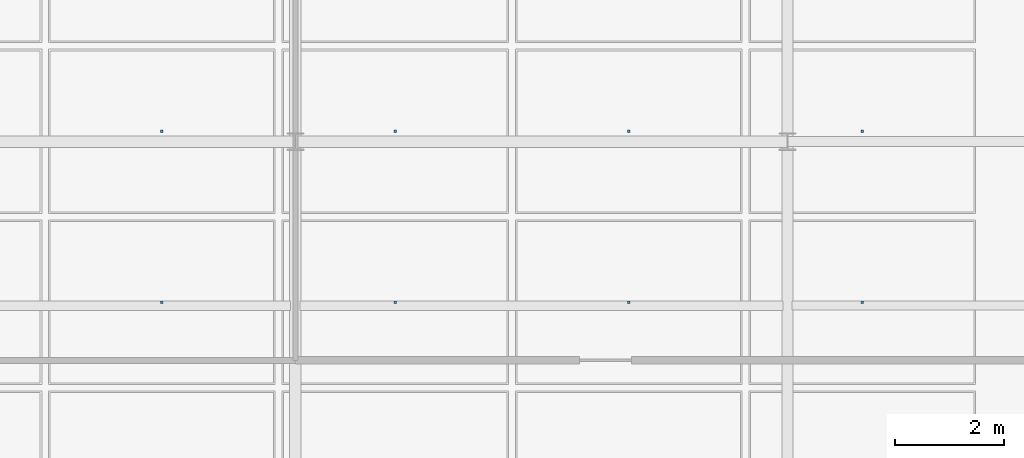
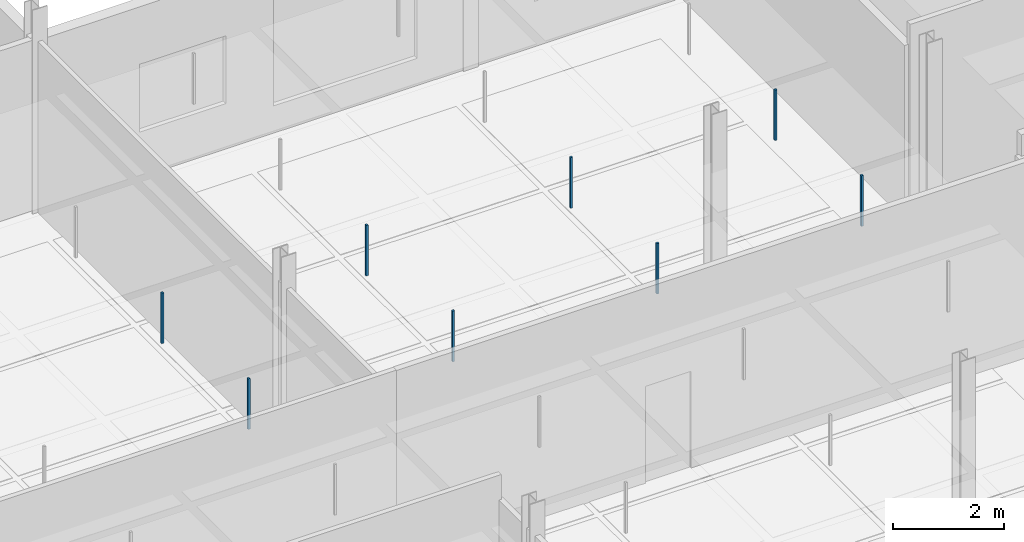
# One storey, part 101 of 130: 8 discrete accessories.
"""IFC4 building model written with IfcOpenShell, lengths in metres."""

from ifc_helpers import new_model, si_unit, direction, frame, origin, origin_2d, place, context, subcontext, project, spatial, rectangle, extrude, material, type_object, element, save


model = new_model("IFC4")

# Units and contexts
model_context = context("Model", 3, precision=1e-05, world=origin(), true_north=direction((0.0, 1.0)))
body_context = subcontext(model_context, "Body", "Model", "MODEL_VIEW")
ifc_project = project(units=[si_unit("LENGTHUNIT", "METRE"), si_unit("AREAUNIT", "SQUARE_METRE"), si_unit("VOLUMEUNIT", "CUBIC_METRE"), si_unit("PLANEANGLEUNIT", "RADIAN"), si_unit("MASSUNIT", "GRAM", prefix="KILO"), si_unit("THERMODYNAMICTEMPERATUREUNIT", "KELVIN"), si_unit("POWERUNIT", "WATT")], contexts=[model_context])

# Site, building, storey
site_placement = place(None, origin())
site = spatial("IfcSite", under=ifc_project, at=site_placement, CompositionType="ELEMENT")
building_placement = place(site_placement, origin())
building = spatial("IfcBuilding", under=site, at=building_placement, Name="Tallowbark Science Centre", CompositionType="ELEMENT")
storey_placement = place(building_placement, frame((0.0, 0.0, 5.39990234375)))
storey = spatial("IfcBuildingStorey", under=building, at=storey_placement, Name="L01", CompositionType="ELEMENT", Elevation=5.39990234375)

# Discrete accessories
ifc_material = material(Name="Galvanised Steel Grade C350L0 (350 MPa)", Category="steel")
discrete_accessory_type = type_object("IfcDiscreteAccessoryType", Name="ACC-CLG-HNG", PredefinedType="BRACKET", material=ifc_material)
for number, where, z_axis, x_axis, name in (
    (1, (96.5576171875, 87.0625, 3.205078125), (0.0, 0.0, 1.0), (1.0, 0.0, 0.0), "Ceiling Hanger Bracket L01-659"),
    (2, (96.5576171875, 90.1875, 3.205078125), (0.0, 0.0, 1.0), (1.0, 0.0, 0.0), "Ceiling Hanger Bracket L01-660"),
    (3, (100.826904296875, 87.0625, 3.205078125), (0.0, 0.0, 1.0), (1.0, 0.0, 0.0), "Ceiling Hanger Bracket L01-667"),
    (4, (100.826904296875, 90.1875, 3.205078125), (0.0, 0.0, 1.0), (1.0, 0.0, 0.0), "Ceiling Hanger Bracket L01-668"),
    (5, (105.09619140625, 87.0625, 3.205078125), (0.0, 0.0, 1.0), (1.0, 0.0, 0.0), "Ceiling Hanger Bracket L01-675"),
    (6, (105.09619140625, 90.1875, 3.205078125), (0.0, 0.0, 1.0), (1.0, 0.0, 0.0), "Ceiling Hanger Bracket L01-676"),
    (7, (109.365478515625, 87.0625, 3.205078125), (0.0, 0.0, 1.0), (1.0, 0.0, 0.0), "Ceiling Hanger Bracket L01-683"),
    (8, (109.365478515625, 90.1875, 3.205078125), (0.0, 0.0, 1.0), (1.0, 0.0, 0.0), "Ceiling Hanger Bracket L01-684"),
):
    element("IfcDiscreteAccessory", number, at=place(storey_placement, frame(where, z_axis=z_axis, x_axis=x_axis)), inside=storey, type_object=discrete_accessory_type, Name=name, PredefinedType="BRACKET", context=body_context, shape_type="SweptSolid", body=[
        extrude(rectangle(XDim=0.044921875, YDim=0.044921875, at=origin_2d()), origin(), (0.0, 0.0, 1.0), 1.117919921875),
    ])

save(model, "model.ifc")
